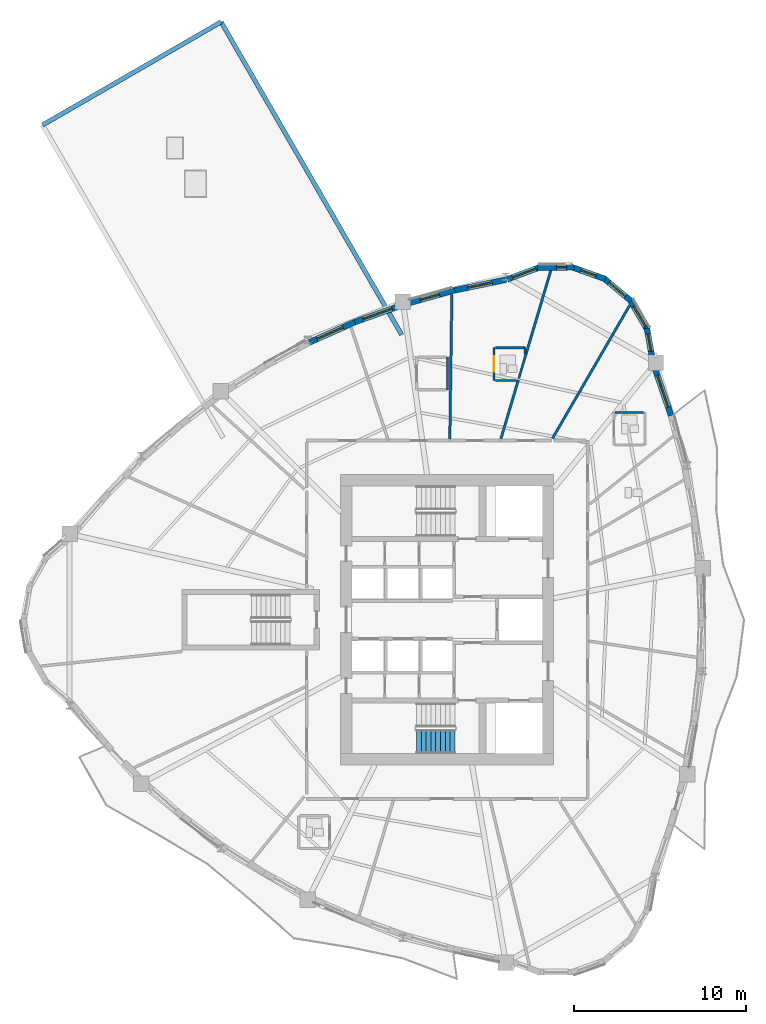
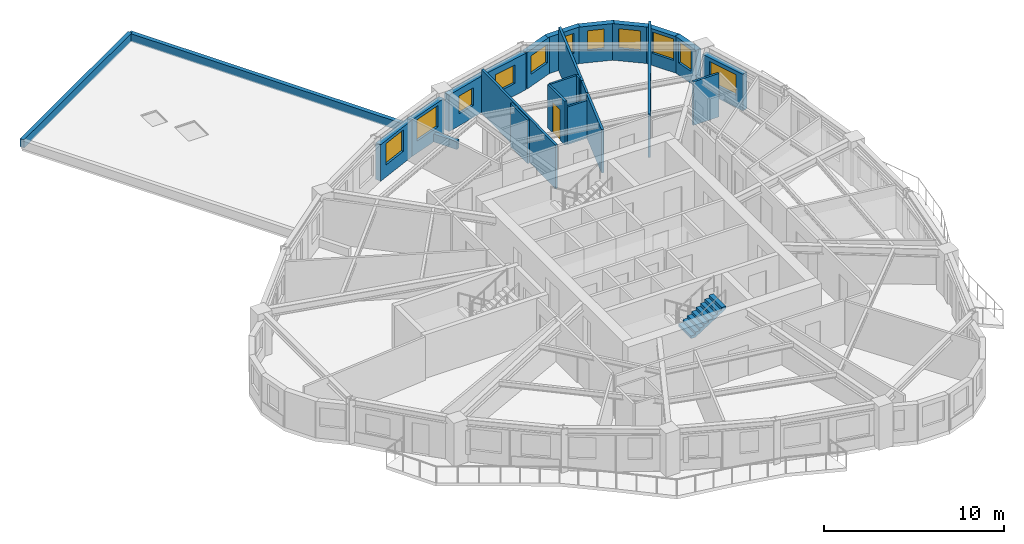
# One storey, part 8 of 13: 24 walls, 11 windows, 1 door, 1 stair flight, 12 openings, 1 element without a shape of its own.
"""IFC4 building model written with IfcOpenShell, lengths in metres."""

from ifc_helpers import new_model, si_unit, direction, frame, frame_2d, origin, place, context, subcontext, project, spatial, polyline, rectangle, outline, extrude, source, transform, mapped, material, layer, layer_set, type_object, element, fill, aggregate, save


model = new_model("IFC4")

# Units and contexts
model_context = context("Model", 3, precision=1e-05, world=origin(), true_north=direction((0.0, 1.0)))
body_context = subcontext(model_context, "Body", "Model", "MODEL_VIEW")
ifc_project = project(units=[si_unit("LENGTHUNIT", "METRE"), si_unit("AREAUNIT", "SQUARE_METRE"), si_unit("VOLUMEUNIT", "CUBIC_METRE"), si_unit("PLANEANGLEUNIT", "RADIAN"), si_unit("MASSUNIT", "GRAM", prefix="KILO")], contexts=[model_context])

# Site, building, storey
site_placement = place(None, origin())
site = spatial("IfcSite", under=ifc_project, at=site_placement, CompositionType="ELEMENT")
building_placement = place(site_placement, origin())
building = spatial("IfcBuilding", under=site, at=building_placement, Name="Qafzar Sky-Pleat Residences", CompositionType="ELEMENT")
storey_placement = place(building_placement, frame((0.0, 0.0, 89.60009765625)))
storey = spatial("IfcBuildingStorey", under=building, at=storey_placement, Name="L26", CompositionType="ELEMENT", Elevation=89.60009765625)

# Walls
ifc_material_1 = material(Name="Acoustic gypsum plasterboard partition", Category="gypsum")
ifc_layer_1 = layer(ifc_material_1, 0.14501953125)
ifc_layer_set_1 = layer_set([ifc_layer_1], Name="Acoustic gypsum plasterboard partition")
wall_type_1 = type_object("IfcWallType", Name="PART-UNIT-145", PredefinedType="PARTITIONING", material=ifc_layer_set_1)
wall_1_placement = place(storey_placement, frame((36.474609375, 36.55322265625, 0.0), z_axis=(0.0, 0.0, 1.0), x_axis=(0.501895508122, 0.864928262301, 0.0)))
element("IfcWall", 1, at=wall_1_placement, inside=storey, type_object=wall_type_1, Name="L26 Partition Wall PART-L26-PW-025", PredefinedType="PARTITIONING", context=body_context, shape_type="SweptSolid", body=[
    extrude(rectangle(XDim=8.957763671875, YDim=0.14501953125, at=frame_2d((4.47900390625, 0.0))), origin(), (0.0, 0.0, 1.0), 2.949951171875),
])
wall_2_placement = place(storey_placement, frame((30.500244140625, 36.51904296875, 0.0), z_axis=(0.0, 0.0, 1.0), x_axis=(0.014275968132, 0.999898093174, 0.0)))
element("IfcWall", 2, at=wall_2_placement, inside=storey, type_object=wall_type_1, Name="L26 Partition Wall PART-L26-PW-027", PredefinedType="PARTITIONING", context=body_context, shape_type="SweptSolid", body=[
    extrude(rectangle(XDim=8.4140625, YDim=0.14501953125, at=frame_2d((4.20703125, 0.0))), origin(), (0.0, 0.0, 1.0), 2.949951171875),
])
wall_3_placement = place(storey_placement, frame((34.85888671875, 41.200927734375, 0.0), z_axis=(0.0, 0.0, 1.0), x_axis=(0.284335435967, 0.958724861393, 0.0)))
element("IfcWall", 3, at=wall_3_placement, inside=storey, type_object=wall_type_1, Name="L26 Partition Wall PART-L26-PW-037", PredefinedType="PARTITIONING", context=body_context, shape_type="SweptSolid", body=[
    extrude(rectangle(XDim=5.348388671875, YDim=0.14501953125, at=frame_2d((2.67431640625, 0.0))), origin(), (0.0, 0.0, 1.0), 2.949951171875),
])
wall_4_placement = place(storey_placement, frame((33.47607421875, 36.538330078125, 0.0), z_axis=(0.0, 0.0, 1.0), x_axis=(0.284300835747, 0.958735122332, 0.0)))
element("IfcWall", 4, at=wall_4_placement, inside=storey, type_object=wall_type_1, Name="L26 Partition Wall PART-L26-PW-039", PredefinedType="PARTITIONING", context=body_context, shape_type="SweptSolid", body=[
    extrude(rectangle(XDim=3.5595703125, YDim=0.14501953125, at=frame_2d((1.77978515625, 0.0))), origin(), (0.0, 0.0, 1.0), 2.949951171875),
])

# Wall, opening, door
ifc_material_2 = material(Name="Moisture-resistant gypsum partition", Category="gypsum")
ifc_layer_2 = layer(ifc_material_2, 0.1298828125)
ifc_layer_set_2 = layer_set([ifc_layer_2], Name="Moisture-resistant gypsum partition")
wall_type_2 = type_object("IfcWallType", Name="PART-WET-130", PredefinedType="PARTITIONING", material=ifc_layer_set_2)
wall_5_placement = place(storey_placement, frame((33.073974609375, 41.8359375, 0.0), z_axis=(0.0, 0.0, 1.0), x_axis=(0.0, -1.0, 0.0)))
wall_5 = element("IfcWall", 5, at=wall_5_placement, inside=storey, type_object=wall_type_2, Name="L26 Partition Wall PART-L26-PW-017", PredefinedType="PARTITIONING", context=body_context, shape_type="SweptSolid", body=[
    extrude(rectangle(XDim=1.89990234375, YDim=0.1298828125, at=frame_2d((0.949951171875, 0.0))), origin(), (0.0, 0.0, 1.0), 2.949951171875),
])
opening_1_placement = place(wall_5_placement, frame((0.510009765625, 0.0, 0.0)))
opening_1 = element("IfcOpeningElement", 6, at=opening_1_placement, cuts=wall_5, Name="Opening ID-07", PredefinedType="OPENING", context=body_context, shape_type="SweptSolid", body=[
    extrude(rectangle(XDim=0.8798828125, YDim=2.050048828125, at=frame_2d((0.43994140625, 1.02490234375))), frame((0.0, 0.074951171875, 0.0), z_axis=(0.0, -1.0, 0.0), x_axis=(1.0, 0.0, 0.0)), (0.0, 0.0, 1.0), 0.14990234375),
])
ifc_material_3 = material(Name="Timber-faced fire door", Category="wood")
door_type = type_object("IfcDoorType", Name="DR-WET-880", OperationType="NOTDEFINED", PredefinedType="DOOR", material=ifc_material_3)
shared_shape_1 = source(origin(), body_context, "Body", "SweptSolid", [
    extrude(rectangle(XDim=0.8798828125, YDim=2.050048828125, at=frame_2d((0.43994140625, 1.02490234375))), frame((0.0, 0.02490234375, 0.0), z_axis=(0.0, -1.0, 0.0), x_axis=(1.0, 0.0, 0.0)), (0.0, 0.0, 1.0), 0.050048828125),
])
door_placement = place(opening_1_placement, origin())
door = element("IfcDoor", 7, at=door_placement, inside=storey, type_object=door_type, Name="L26 En-suite Bathroom 3 Door", OperationType="SINGLE_SWING_LEFT", OverallHeight=2.050048828125, OverallWidth=0.8798828125, PredefinedType="DOOR", context=body_context, shape_type="MappedRepresentation", body=[
    mapped(shared_shape_1, transform((0.0, 0.0, 0.0), x_axis=(1.0, 0.0, 0.0), y_axis=(0.0, 1.0, 0.0), z_axis=(0.0, 0.0, 1.0), scale=1.0)),
])
fill(opening_1, door)

# Walls
wall_6_placement = place(storey_placement, frame((30.3701171875, 39.385986328125, 0.0), z_axis=(0.0, 0.0, 1.0), x_axis=(0.0, 1.0, 0.0)))
element("IfcWall", 8, at=wall_6_placement, inside=storey, type_object=wall_type_2, Name="L26 Partition Wall PART-L26-PW-044", PredefinedType="PARTITIONING", context=body_context, shape_type="SweptSolid", body=[
    extrude(rectangle(XDim=1.89990234375, YDim=0.1298828125, at=frame_2d((0.949951171875, 0.0))), origin(), (0.0, 0.0, 1.0), 2.949951171875),
])
wall_7_placement = place(storey_placement, frame((33.14697265625, 41.8359375, 0.0), z_axis=(0.0, 0.0, 1.0), x_axis=(1.0, 0.0, 0.0)))
element("IfcWall", 9, at=wall_7_placement, inside=storey, type_object=wall_type_2, Name="L26 Partition Wall PART-L26-PW-045", PredefinedType="PARTITIONING", context=body_context, shape_type="SweptSolid", body=[
    extrude(rectangle(XDim=1.72705078125, YDim=0.1298828125, at=frame_2d((0.863525390625, 0.0))), origin(), (0.0, 0.0, 1.0), 2.949951171875),
])
wall_8_placement = place(storey_placement, frame((40.131103515625, 38.06689453125, 0.0), z_axis=(0.0, 0.0, 1.0), x_axis=(1.0, 0.0, 0.0)))
element("IfcWall", 10, at=wall_8_placement, inside=storey, type_object=wall_type_2, Name="L26 Partition Wall PART-L26-PW-050", PredefinedType="PARTITIONING", context=body_context, shape_type="SweptSolid", body=[
    extrude(rectangle(XDim=1.65380859375, YDim=0.1298828125, at=frame_2d((0.826904296875, 0.0))), origin(), (0.0, 0.0, 1.0), 2.949951171875),
])
wall_9_placement = place(storey_placement, frame((33.14697265625, 39.93603515625, 0.0), z_axis=(0.0, 0.0, 1.0), x_axis=(1.0, 0.0, 0.0)))
element("IfcWall", 11, at=wall_9_placement, inside=storey, type_object=wall_type_2, Name="L26 Partition Wall PART-L26-PW-053", PredefinedType="PARTITIONING", context=body_context, shape_type="SweptSolid", body=[
    extrude(rectangle(XDim=1.234130859375, YDim=0.1298828125, at=frame_2d((0.6171875, 0.0))), origin(), (0.0, 0.0, 1.0), 2.557861328125),
])
wall_10_placement = place(storey_placement, frame((34.519287109375, 40.056640625, 0.0), z_axis=(0.0, 0.0, 1.0), x_axis=(0.284363334184, 0.958716586991, 0.0)))
element("IfcWall", 12, at=wall_10_placement, inside=storey, type_object=wall_type_2, Name="L26 Partition Wall PART-L26-PW-054", PredefinedType="PARTITIONING", context=body_context, shape_type="SweptSolid", body=[
    extrude(rectangle(XDim=1.1787109375, YDim=0.1298828125, at=frame_2d((0.58935546875, 0.0))), origin(), (0.0, 0.0, 1.0), 2.949951171875),
])
wall_11_placement = place(storey_placement, frame((34.8740234375, 41.47705078125, 0.0), z_axis=(0.0, 0.0, 1.0), x_axis=(0.0, 1.0, 0.0)))
element("IfcWall", 13, at=wall_11_placement, inside=storey, type_object=wall_type_2, Name="L26 Partition Wall PART-L26-PW-055", PredefinedType="PARTITIONING", context=body_context, shape_type="SweptSolid", body=[
    extrude(rectangle(XDim=0.35888671875, YDim=0.1298828125, at=frame_2d((0.179443359375, 0.0))), origin(), (0.0, 0.0, 1.0), 2.949951171875),
])
ifc_material_4 = material(Name="Precast concrete C40/50 with honed Riyadh limestone", Category="concrete")
ifc_layer_3 = layer(ifc_material_4, 0.260009765625)
ifc_layer_set_3 = layer_set([ifc_layer_3], Name="Precast concrete C40/50 with honed Riyadh limestone")
wall_type_3 = type_object("IfcWallType", Name="WALL-EXT-260", PredefinedType="PARAPET", material=ifc_layer_set_3)
wall_12_placement = place(storey_placement, frame((27.6962890625, 42.5966796875, 0.0), z_axis=(0.0, 0.0, 1.0), x_axis=(-0.500010960134, 0.866019075856, 0.0)))
element("IfcWall", 14, at=wall_12_placement, inside=storey, type_object=wall_type_3, Name="L26 SB-2 Roof Parapet 1", PredefinedType="PARAPET", context=body_context, shape_type="SweptSolid", body=[
    extrude(rectangle(XDim=21.02294921875, YDim=0.260009765625, at=frame_2d((10.511474609375, 0.0))), origin(), (0.0, 0.0, 1.0), 0.5498046875),
])
wall_13_placement = place(storey_placement, frame((17.1845703125, 60.802978515625, 0.0), z_axis=(0.0, 0.0, 1.0), x_axis=(-0.866026010844, -0.49999894854, 0.0)))
element("IfcWall", 15, at=wall_13_placement, inside=storey, type_object=wall_type_3, Name="L26 SB-2 Roof Parapet 2", PredefinedType="PARAPET", context=body_context, shape_type="SweptSolid", body=[
    extrude(rectangle(XDim=12.0, YDim=0.260009765625, at=frame_2d((6.0, 0.0))), origin(), (0.0, 0.0, 1.0), 0.5498046875),
])

# Wall, opening, window
ifc_layer_4 = layer(ifc_material_4, 0.340087890625)
ifc_layer_set_4 = layer_set([ifc_layer_4], Name="Precast concrete C40/50 with honed Riyadh limestone")
wall_type_4 = type_object("IfcWallType", Name="WALL-EXT-340", PredefinedType="SOLIDWALL", material=ifc_layer_set_4)
wall_14_placement = place(storey_placement, frame((43.38037109375, 37.885986328125, 0.0), z_axis=(0.0, 0.0, 1.0), x_axis=(-0.323536742898, 0.946215607562, 0.0)))
wall_14 = element("IfcWall", 16, at=wall_14_placement, inside=storey, type_object=wall_type_4, Name="L26 Limestone Facade Wall 32", PredefinedType="SOLIDWALL", context=body_context, shape_type="SweptSolid", body=[
    extrude(rectangle(XDim=2.972412109375, YDim=0.340087890625, at=frame_2d((1.486328125, 0.0))), origin(), (0.0, 0.0, 1.0), 2.47998046875),
])
opening_2_placement = place(wall_14_placement, frame((0.51611328125, 0.0, 0.820068359375)))
opening_2 = element("IfcOpeningElement", 17, at=opening_2_placement, cuts=wall_14, Name="Opening WN-08", PredefinedType="OPENING", context=body_context, shape_type="SweptSolid", body=[
    extrude(rectangle(XDim=1.949951171875, YDim=1.39990234375, at=frame_2d((0.97509765625, 0.699951171875))), frame((0.0, 0.18017578125, 0.0), z_axis=(0.0, -1.0, 0.0), x_axis=(1.0, 0.0, 0.0)), (0.0, 0.0, 1.0), 0.360107421875),
])
ifc_material_5 = material(Name="Solar-control low-E glass in bronze aluminium frame", Category="glass")
window_type_1 = type_object("IfcWindowType", Name="WIN-08", PartitioningType="DOUBLE_PANEL_VERTICAL", PredefinedType="WINDOW", material=ifc_material_5)
shared_shape_2 = source(origin(), body_context, "Body", "SweptSolid", [
    extrude(rectangle(XDim=1.949951171875, YDim=1.39990234375, at=frame_2d((0.97509765625, 0.699951171875))), frame((0.0, 0.030029296875, 0.0), z_axis=(0.0, -1.0, 0.0), x_axis=(1.0, 0.0, 0.0)), (0.0, 0.0, 1.0), 0.06005859375),
])
window_1_placement = place(opening_2_placement, origin())
window_1 = element("IfcWindow", 18, at=window_1_placement, inside=storey, type_object=window_type_1, Name="L26 Punched Facade Window 32", OverallHeight=1.39990234375, OverallWidth=1.949951171875, PartitioningType="SINGLE_PANEL", PredefinedType="WINDOW", context=body_context, shape_type="MappedRepresentation", body=[
    mapped(shared_shape_2, transform((0.0, 0.0, 0.0), x_axis=(1.0, 0.0, 0.0), y_axis=(0.0, 1.0, 0.0), z_axis=(0.0, 0.0, 1.0), scale=1.0)),
])
fill(opening_2, window_1)

wall_15_placement = place(storey_placement, frame((42.297607421875, 41.16796875, 0.0), z_axis=(0.0, 0.0, 1.0), x_axis=(-0.17440141227, 0.984674640375, 0.0)))
wall_15 = element("IfcWall", 19, at=wall_15_placement, inside=storey, type_object=wall_type_4, Name="L26 Limestone Facade Wall 33", PredefinedType="SOLIDWALL", context=body_context, shape_type="SweptSolid", body=[
    extrude(rectangle(XDim=1.8310546875, YDim=0.340087890625, at=frame_2d((0.91552734375, 0.0))), origin(), (0.0, 0.0, 1.0), 2.47998046875),
])
opening_3_placement = place(wall_15_placement, frame((0.465576171875, 0.0, 0.820068359375)))
opening_3 = element("IfcOpeningElement", 20, at=opening_3_placement, cuts=wall_15, Name="Opening WN-06", PredefinedType="OPENING", context=body_context, shape_type="SweptSolid", body=[
    extrude(rectangle(XDim=1.050048828125, YDim=1.449951171875, at=frame_2d((0.52490234375, 0.72509765625))), frame((0.0, 0.18017578125, 0.0), z_axis=(0.0, -1.0, 0.0), x_axis=(1.0, 0.0, 0.0)), (0.0, 0.0, 1.0), 0.360107421875),
])
window_type_2 = type_object("IfcWindowType", Name="WIN-06", PartitioningType="SINGLE_PANEL", PredefinedType="WINDOW", material=ifc_material_5)
shared_shape_3 = source(origin(), body_context, "Body", "SweptSolid", [
    extrude(rectangle(XDim=1.050048828125, YDim=1.449951171875, at=frame_2d((0.52490234375, 0.72509765625))), frame((0.0, 0.030029296875, 0.0), z_axis=(0.0, -1.0, 0.0), x_axis=(1.0, 0.0, 0.0)), (0.0, 0.0, 1.0), 0.06005859375),
])
window_2_placement = place(opening_3_placement, origin())
window_2 = element("IfcWindow", 21, at=window_2_placement, inside=storey, type_object=window_type_2, Name="L26 Punched Facade Window 33", OverallHeight=1.449951171875, OverallWidth=1.050048828125, PartitioningType="SINGLE_PANEL", PredefinedType="WINDOW", context=body_context, shape_type="MappedRepresentation", body=[
    mapped(shared_shape_3, transform((0.0, 0.0, 0.0), x_axis=(1.0, 0.0, 0.0), y_axis=(0.0, 1.0, 0.0), z_axis=(0.0, 0.0, 1.0), scale=1.0)),
])
fill(opening_3, window_2)

wall_16_placement = place(storey_placement, frame((42.024169921875, 42.844970703125, 0.0), z_axis=(0.0, 0.0, 1.0), x_axis=(-0.501902596059, 0.864924149315, 0.0)))
wall_16 = element("IfcWall", 22, at=wall_16_placement, inside=storey, type_object=wall_type_4, Name="L26 Limestone Facade Wall 34", PredefinedType="SOLIDWALL", context=body_context, shape_type="SweptSolid", body=[
    extrude(rectangle(XDim=2.098876953125, YDim=0.340087890625, at=frame_2d((1.04931640625, 0.0))), origin(), (0.0, 0.0, 1.0), 2.47998046875),
])
opening_4_placement = place(wall_16_placement, frame((0.264892578125, 0.0, 0.820068359375)))
opening_4 = element("IfcOpeningElement", 23, at=opening_4_placement, cuts=wall_16, Name="Opening WN-04", PredefinedType="OPENING", context=body_context, shape_type="SweptSolid", body=[
    extrude(rectangle(XDim=1.35009765625, YDim=1.449951171875, at=frame_2d((0.675048828125, 0.72509765625))), frame((0.0, 0.18017578125, 0.0), z_axis=(0.0, -1.0, 0.0), x_axis=(1.0, 0.0, 0.0)), (0.0, 0.0, 1.0), 0.360107421875),
])
window_type_3 = type_object("IfcWindowType", Name="WIN-04", PartitioningType="SINGLE_PANEL", PredefinedType="WINDOW", material=ifc_material_5)
shared_shape_4 = source(origin(), body_context, "Body", "SweptSolid", [
    extrude(rectangle(XDim=1.35009765625, YDim=1.449951171875, at=frame_2d((0.675048828125, 0.72509765625))), frame((0.0, 0.030029296875, 0.0), z_axis=(0.0, -1.0, 0.0), x_axis=(1.0, 0.0, 0.0)), (0.0, 0.0, 1.0), 0.06005859375),
])
window_3_placement = place(opening_4_placement, origin())
window_3 = element("IfcWindow", 24, at=window_3_placement, inside=storey, type_object=window_type_3, Name="L26 Punched Facade Window 34", OverallHeight=1.449951171875, OverallWidth=1.35009765625, PartitioningType="SINGLE_PANEL", PredefinedType="WINDOW", context=body_context, shape_type="MappedRepresentation", body=[
    mapped(shared_shape_4, transform((0.0, 0.0, 0.0), x_axis=(1.0, 0.0, 0.0), y_axis=(0.0, 1.0, 0.0), z_axis=(0.0, 0.0, 1.0), scale=1.0)),
])
fill(opening_4, window_3)

wall_17_placement = place(storey_placement, frame((41.05712890625, 44.557861328125, 0.0), z_axis=(0.0, 0.0, 1.0), x_axis=(-0.768497696041, 0.639852554249, 0.0)))
wall_17 = element("IfcWall", 25, at=wall_17_placement, inside=storey, type_object=wall_type_4, Name="L26 Limestone Facade Wall 35", PredefinedType="SOLIDWALL", context=body_context, shape_type="SweptSolid", body=[
    extrude(rectangle(XDim=2.098876953125, YDim=0.340087890625, at=frame_2d((1.04931640625, 0.0))), origin(), (0.0, 0.0, 1.0), 2.47998046875),
])
opening_5_placement = place(wall_17_placement, frame((0.424560546875, 0.0, 0.820068359375)))
opening_5 = element("IfcOpeningElement", 26, at=opening_5_placement, cuts=wall_17, Name="Opening WN-11", PredefinedType="OPENING", context=body_context, shape_type="SweptSolid", body=[
    extrude(rectangle(XDim=1.25, YDim=1.35009765625, at=frame_2d((0.625, 0.675048828125))), frame((0.0, 0.18017578125, 0.0), z_axis=(0.0, -1.0, 0.0), x_axis=(1.0, 0.0, 0.0)), (0.0, 0.0, 1.0), 0.360107421875),
])
window_type_4 = type_object("IfcWindowType", Name="WIN-11", PartitioningType="SINGLE_PANEL", PredefinedType="WINDOW", material=ifc_material_5)
shared_shape_5 = source(origin(), body_context, "Body", "SweptSolid", [
    extrude(rectangle(XDim=1.25, YDim=1.35009765625, at=frame_2d((0.625, 0.675048828125))), frame((0.0, 0.030029296875, 0.0), z_axis=(0.0, -1.0, 0.0), x_axis=(1.0, 0.0, 0.0)), (0.0, 0.0, 1.0), 0.06005859375),
])
window_4_placement = place(opening_5_placement, origin())
window_4 = element("IfcWindow", 27, at=window_4_placement, inside=storey, type_object=window_type_4, Name="L26 Punched Facade Window 35", OverallHeight=1.35009765625, OverallWidth=1.25, PartitioningType="SINGLE_PANEL", PredefinedType="WINDOW", context=body_context, shape_type="MappedRepresentation", body=[
    mapped(shared_shape_5, transform((0.0, 0.0, 0.0), x_axis=(1.0, 0.0, 0.0), y_axis=(0.0, 1.0, 0.0), z_axis=(0.0, 0.0, 1.0), scale=1.0)),
])
fill(opening_5, window_4)

wall_18_placement = place(storey_placement, frame((39.560546875, 45.834228515625, 0.0), z_axis=(0.0, 0.0, 1.0), x_axis=(-0.941473186867, 0.33708787936, 0.0)))
wall_18 = element("IfcWall", 28, at=wall_18_placement, inside=storey, type_object=wall_type_4, Name="L26 Limestone Facade Wall 36", PredefinedType="SOLIDWALL", context=body_context, shape_type="SweptSolid", body=[
    extrude(rectangle(XDim=2.098876953125, YDim=0.340087890625, at=frame_2d((1.04931640625, 0.0))), origin(), (0.0, 0.0, 1.0), 2.47998046875),
])
opening_6_placement = place(wall_18_placement, frame((0.574462890625, 0.0, 0.820068359375)))
opening_6 = element("IfcOpeningElement", 29, at=opening_6_placement, cuts=wall_18, Name="Opening WN-12", PredefinedType="OPENING", context=body_context, shape_type="SweptSolid", body=[
    extrude(rectangle(XDim=0.949951171875, YDim=1.35009765625, at=frame_2d((0.47509765625, 0.675048828125))), frame((0.0, 0.18017578125, 0.0), z_axis=(0.0, -1.0, 0.0), x_axis=(1.0, 0.0, 0.0)), (0.0, 0.0, 1.0), 0.360107421875),
])
window_type_5 = type_object("IfcWindowType", Name="WIN-12", PartitioningType="SINGLE_PANEL", PredefinedType="WINDOW", material=ifc_material_5)
shared_shape_6 = source(origin(), body_context, "Body", "SweptSolid", [
    extrude(rectangle(XDim=0.949951171875, YDim=1.35009765625, at=frame_2d((0.47509765625, 0.675048828125))), frame((0.0, 0.030029296875, 0.0), z_axis=(0.0, -1.0, 0.0), x_axis=(1.0, 0.0, 0.0)), (0.0, 0.0, 1.0), 0.06005859375),
])
window_5_placement = place(opening_6_placement, origin())
window_5 = element("IfcWindow", 30, at=window_5_placement, inside=storey, type_object=window_type_5, Name="L26 Punched Facade Window 36", OverallHeight=1.35009765625, OverallWidth=0.949951171875, PartitioningType="SINGLE_PANEL", PredefinedType="WINDOW", context=body_context, shape_type="MappedRepresentation", body=[
    mapped(shared_shape_6, transform((0.0, 0.0, 0.0), x_axis=(1.0, 0.0, 0.0), y_axis=(0.0, 1.0, 0.0), z_axis=(0.0, 0.0, 1.0), scale=1.0)),
])
fill(opening_6, window_5)

wall_19_placement = place(storey_placement, frame((37.716796875, 46.519287109375, 0.0), z_axis=(0.0, 0.0, 1.0), x_axis=(-0.999976451414, -0.006862697526, 0.0)))
wall_19 = element("IfcWall", 31, at=wall_19_placement, inside=storey, type_object=wall_type_4, Name="L26 Limestone Facade Wall 37", PredefinedType="SOLIDWALL", context=body_context, shape_type="SweptSolid", body=[
    extrude(rectangle(XDim=2.098876953125, YDim=0.340087890625, at=frame_2d((1.04931640625, 0.0))), origin(), (0.0, 0.0, 1.0), 2.47998046875),
])
opening_7_placement = place(wall_19_placement, frame((0.415771484375, 0.0, 0.820068359375)))
opening_7 = element("IfcOpeningElement", 32, at=opening_7_placement, cuts=wall_19, Name="Opening WN-17", PredefinedType="OPENING", context=body_context, shape_type="SweptSolid", body=[
    extrude(rectangle(XDim=0.580078125, YDim=1.35009765625, at=frame_2d((0.2900390625, 0.675048828125))), frame((0.0, 0.18017578125, 0.0), z_axis=(0.0, -1.0, 0.0), x_axis=(1.0, 0.0, 0.0)), (0.0, 0.0, 1.0), 0.360107421875),
])
window_type_6 = type_object("IfcWindowType", Name="WIN-17", PartitioningType="SINGLE_PANEL", PredefinedType="WINDOW", material=ifc_material_5)
shared_shape_7 = source(origin(), body_context, "Body", "SweptSolid", [
    extrude(rectangle(XDim=0.580078125, YDim=1.35009765625, at=frame_2d((0.2900390625, 0.675048828125))), frame((0.0, 0.030029296875, 0.0), z_axis=(0.0, -1.0, 0.0), x_axis=(1.0, 0.0, 0.0)), (0.0, 0.0, 1.0), 0.06005859375),
])
window_6_placement = place(opening_7_placement, origin())
window_6 = element("IfcWindow", 33, at=window_6_placement, inside=storey, type_object=window_type_6, Name="L26 Punched Facade Window 37", OverallHeight=1.35009765625, OverallWidth=0.580078125, PartitioningType="SINGLE_PANEL", PredefinedType="WINDOW", context=body_context, shape_type="MappedRepresentation", body=[
    mapped(shared_shape_7, transform((0.0, 0.0, 0.0), x_axis=(1.0, 0.0, 0.0), y_axis=(0.0, 1.0, 0.0), z_axis=(0.0, 0.0, 1.0), scale=1.0)),
])
fill(opening_7, window_6)

wall_20_placement = place(storey_placement, frame((35.749755859375, 46.529296875, 0.0), z_axis=(0.0, 0.0, 1.0), x_axis=(-0.9368002254, -0.349864741994, 0.0)))
wall_20 = element("IfcWall", 34, at=wall_20_placement, inside=storey, type_object=wall_type_4, Name="L26 Limestone Facade Wall 38", PredefinedType="SOLIDWALL", context=body_context, shape_type="SweptSolid", body=[
    extrude(rectangle(XDim=2.041015625, YDim=0.340087890625, at=frame_2d((1.0205078125, 0.0))), origin(), (0.0, 0.0, 1.0), 2.47998046875),
])
opening_8_placement = place(wall_20_placement, frame((0.265380859375, 0.0, 0.820068359375)))
opening_8 = element("IfcOpeningElement", 35, at=opening_8_placement, cuts=wall_20, Name="Opening WN-15", PredefinedType="OPENING", context=body_context, shape_type="SweptSolid", body=[
    extrude(rectangle(XDim=1.449951171875, YDim=1.25, at=frame_2d((0.72509765625, 0.625))), frame((0.0, 0.18017578125, 0.0), z_axis=(0.0, -1.0, 0.0), x_axis=(1.0, 0.0, 0.0)), (0.0, 0.0, 1.0), 0.360107421875),
])
window_type_7 = type_object("IfcWindowType", Name="WIN-15", PartitioningType="SINGLE_PANEL", PredefinedType="WINDOW", material=ifc_material_5)
shared_shape_8 = source(origin(), body_context, "Body", "SweptSolid", [
    extrude(rectangle(XDim=1.449951171875, YDim=1.25, at=frame_2d((0.72509765625, 0.625))), frame((0.0, 0.030029296875, 0.0), z_axis=(0.0, -1.0, 0.0), x_axis=(1.0, 0.0, 0.0)), (0.0, 0.0, 1.0), 0.06005859375),
])
window_7_placement = place(opening_8_placement, origin())
window_7 = element("IfcWindow", 36, at=window_7_placement, inside=storey, type_object=window_type_7, Name="L26 Punched Facade Window 38", OverallHeight=1.25, OverallWidth=1.449951171875, PartitioningType="SINGLE_PANEL", PredefinedType="WINDOW", context=body_context, shape_type="MappedRepresentation", body=[
    mapped(shared_shape_8, transform((0.0, 0.0, 0.0), x_axis=(1.0, 0.0, 0.0), y_axis=(0.0, 1.0, 0.0), z_axis=(0.0, 0.0, 1.0), scale=1.0)),
])
fill(opening_8, window_7)

wall_21_placement = place(storey_placement, frame((33.774169921875, 45.797119140625, 0.0), z_axis=(0.0, 0.0, 1.0), x_axis=(-0.979428519707, -0.201791414051, 0.0)))
wall_21 = element("IfcWall", 37, at=wall_21_placement, inside=storey, type_object=wall_type_4, Name="L26 Limestone Facade Wall 39", PredefinedType="SOLIDWALL", context=body_context, shape_type="SweptSolid", body=[
    extrude(rectangle(XDim=3.133544921875, YDim=0.340087890625, at=frame_2d((1.56689453125, 0.0))), origin(), (0.0, 0.0, 1.0), 2.47998046875),
])
opening_9_placement = place(wall_21_placement, frame((0.831787109375, 0.0, 0.820068359375)))
opening_9 = element("IfcOpeningElement", 38, at=opening_9_placement, cuts=wall_21, Name="Opening WN-15", PredefinedType="OPENING", context=body_context, shape_type="SweptSolid", body=[
    extrude(rectangle(XDim=1.449951171875, YDim=1.25, at=frame_2d((0.72509765625, 0.625))), frame((0.0, 0.18017578125, 0.0), z_axis=(0.0, -1.0, 0.0), x_axis=(1.0, 0.0, 0.0)), (0.0, 0.0, 1.0), 0.360107421875),
])
window_8_placement = place(opening_9_placement, origin())
window_8 = element("IfcWindow", 39, at=window_8_placement, inside=storey, type_object=window_type_7, Name="L26 Punched Facade Window 39", OverallHeight=1.25, OverallWidth=1.449951171875, PartitioningType="SINGLE_PANEL", PredefinedType="WINDOW", context=body_context, shape_type="MappedRepresentation", body=[
    mapped(shared_shape_8, transform((0.0, 0.0, 0.0), x_axis=(1.0, 0.0, 0.0), y_axis=(0.0, 1.0, 0.0), z_axis=(0.0, 0.0, 1.0), scale=1.0)),
])
fill(opening_9, window_8)

wall_22_placement = place(storey_placement, frame((30.790283203125, 45.185302734375, 0.0), z_axis=(0.0, 0.0, 1.0), x_axis=(-0.963052677404, -0.269313090187, 0.0)))
wall_22 = element("IfcWall", 40, at=wall_22_placement, inside=storey, type_object=wall_type_4, Name="L26 Limestone Facade Wall 40", PredefinedType="SOLIDWALL", context=body_context, shape_type="SweptSolid", body=[
    extrude(rectangle(XDim=2.8583984375, YDim=0.340087890625, at=frame_2d((1.42919921875, 0.0))), origin(), (0.0, 0.0, 1.0), 2.47998046875),
])
opening_10_placement = place(wall_22_placement, frame((0.9296875, 0.0, 0.820068359375)))
opening_10 = element("IfcOpeningElement", 41, at=opening_10_placement, cuts=wall_22, Name="Opening WN-16", PredefinedType="OPENING", context=body_context, shape_type="SweptSolid", body=[
    extrude(rectangle(XDim=1.14990234375, YDim=1.199951171875, at=frame_2d((0.574951171875, 0.60009765625))), frame((0.0, 0.18017578125, 0.0), z_axis=(0.0, -1.0, 0.0), x_axis=(1.0, 0.0, 0.0)), (0.0, 0.0, 1.0), 0.360107421875),
])
window_type_8 = type_object("IfcWindowType", Name="WIN-16", PartitioningType="SINGLE_PANEL", PredefinedType="WINDOW", material=ifc_material_5)
shared_shape_9 = source(origin(), body_context, "Body", "SweptSolid", [
    extrude(rectangle(XDim=1.14990234375, YDim=1.199951171875, at=frame_2d((0.574951171875, 0.60009765625))), frame((0.0, 0.030029296875, 0.0), z_axis=(0.0, -1.0, 0.0), x_axis=(1.0, 0.0, 0.0)), (0.0, 0.0, 1.0), 0.06005859375),
])
window_9_placement = place(opening_10_placement, origin())
window_9 = element("IfcWindow", 42, at=window_9_placement, inside=storey, type_object=window_type_8, Name="L26 Punched Facade Window 40", OverallHeight=1.199951171875, OverallWidth=1.14990234375, PartitioningType="SINGLE_PANEL", PredefinedType="WINDOW", context=body_context, shape_type="MappedRepresentation", body=[
    mapped(shared_shape_9, transform((0.0, 0.0, 0.0), x_axis=(1.0, 0.0, 0.0), y_axis=(0.0, 1.0, 0.0), z_axis=(0.0, 0.0, 1.0), scale=1.0)),
])
fill(opening_10, window_9)

wall_23_placement = place(storey_placement, frame((27.611328125, 44.279541015625, 0.0), z_axis=(0.0, 0.0, 1.0), x_axis=(-0.94110108123, -0.338125353836, 0.0)))
wall_23 = element("IfcWall", 43, at=wall_23_placement, inside=storey, type_object=wall_type_4, Name="L26 Limestone Facade Wall 41", PredefinedType="SOLIDWALL", context=body_context, shape_type="SweptSolid", body=[
    extrude(rectangle(XDim=2.808837890625, YDim=0.340087890625, at=frame_2d((1.404296875, 0.0))), origin(), (0.0, 0.0, 1.0), 2.47998046875),
])
opening_11_placement = place(wall_23_placement, frame((0.499267578125, 0.0, 0.820068359375)))
opening_11 = element("IfcOpeningElement", 44, at=opening_11_placement, cuts=wall_23, Name="Opening WN-01", PredefinedType="OPENING", context=body_context, shape_type="SweptSolid", body=[
    extrude(rectangle(XDim=1.800048828125, YDim=1.449951171875, at=frame_2d((0.89990234375, 0.72509765625))), frame((0.0, 0.18017578125, 0.0), z_axis=(0.0, -1.0, 0.0), x_axis=(1.0, 0.0, 0.0)), (0.0, 0.0, 1.0), 0.360107421875),
])
window_type_9 = type_object("IfcWindowType", Name="WIN-01", PartitioningType="DOUBLE_PANEL_VERTICAL", PredefinedType="WINDOW", material=ifc_material_5)
shared_shape_10 = source(origin(), body_context, "Body", "SweptSolid", [
    extrude(rectangle(XDim=1.800048828125, YDim=1.449951171875, at=frame_2d((0.89990234375, 0.72509765625))), frame((0.0, 0.030029296875, 0.0), z_axis=(0.0, -1.0, 0.0), x_axis=(1.0, 0.0, 0.0)), (0.0, 0.0, 1.0), 0.06005859375),
])
window_10_placement = place(opening_11_placement, origin())
window_10 = element("IfcWindow", 45, at=window_10_placement, inside=storey, type_object=window_type_9, Name="L26 Punched Facade Window 41", OverallHeight=1.449951171875, OverallWidth=1.800048828125, PartitioningType="SINGLE_PANEL", PredefinedType="WINDOW", context=body_context, shape_type="MappedRepresentation", body=[
    mapped(shared_shape_10, transform((0.0, 0.0, 0.0), x_axis=(1.0, 0.0, 0.0), y_axis=(0.0, 1.0, 0.0), z_axis=(0.0, 0.0, 1.0), scale=1.0)),
])
fill(opening_11, window_10)

wall_24_placement = place(storey_placement, frame((25.05029296875, 43.36279296875, 0.0), z_axis=(0.0, 0.0, 1.0), x_axis=(-0.913433400489, -0.406988234315, 0.0)))
wall_24 = element("IfcWall", 46, at=wall_24_placement, inside=storey, type_object=wall_type_4, Name="L26 Limestone Facade Wall 42", PredefinedType="SOLIDWALL", context=body_context, shape_type="SweptSolid", body=[
    extrude(rectangle(XDim=2.98486328125, YDim=0.340087890625, at=frame_2d((1.492431640625, 0.0))), origin(), (0.0, 0.0, 1.0), 2.47998046875),
])
opening_12_placement = place(wall_24_placement, frame((0.8408203125, 0.0, 0.820068359375)))
opening_12 = element("IfcOpeningElement", 47, at=opening_12_placement, cuts=wall_24, Name="Opening WN-02", PredefinedType="OPENING", context=body_context, shape_type="SweptSolid", body=[
    extrude(rectangle(XDim=1.64990234375, YDim=1.449951171875, at=frame_2d((0.824951171875, 0.72509765625))), frame((0.0, 0.18017578125, 0.0), z_axis=(0.0, -1.0, 0.0), x_axis=(1.0, 0.0, 0.0)), (0.0, 0.0, 1.0), 0.360107421875),
])
window_type_10 = type_object("IfcWindowType", Name="WIN-02", PartitioningType="DOUBLE_PANEL_VERTICAL", PredefinedType="WINDOW", material=ifc_material_5)
shared_shape_11 = source(origin(), body_context, "Body", "SweptSolid", [
    extrude(rectangle(XDim=1.64990234375, YDim=1.449951171875, at=frame_2d((0.824951171875, 0.72509765625))), frame((0.0, 0.030029296875, 0.0), z_axis=(0.0, -1.0, 0.0), x_axis=(1.0, 0.0, 0.0)), (0.0, 0.0, 1.0), 0.06005859375),
])
window_11_placement = place(opening_12_placement, origin())
window_11 = element("IfcWindow", 48, at=window_11_placement, inside=storey, type_object=window_type_10, Name="L26 Punched Facade Window 42", OverallHeight=1.449951171875, OverallWidth=1.64990234375, PartitioningType="SINGLE_PANEL", PredefinedType="WINDOW", context=body_context, shape_type="MappedRepresentation", body=[
    mapped(shared_shape_11, transform((0.0, 0.0, 0.0), x_axis=(1.0, 0.0, 0.0), y_axis=(0.0, 1.0, 0.0), z_axis=(0.0, 0.0, 1.0), scale=1.0)),
])
fill(opening_12, window_11)

# Stair, stair flight
ifc_material_6 = material(Name="Concrete C40/50", Category="concrete")
stair_type = type_object("IfcStairType", Name="STAIR-H320", PredefinedType="HALF_TURN_STAIR", material=ifc_material_6)
stair_placement = place(storey_placement, origin())
stair = element("IfcStair", 49, at=stair_placement, inside=storey, type_object=stair_type, Name="L26 Protected Exit Stair ST1", PredefinedType="HALF_TURN_STAIR")
stair_flight_type = type_object("IfcStairFlightType", Name="FLIGHT-H320", PredefinedType="STRAIGHT", material=ifc_material_6)
shared_shape_12 = source(origin(), body_context, "Body", "SweptSolid", [
    extrude(outline(polyline([(0.0, 0.0), (0.0, 0.177734375), (0.280029296875, 0.177734375), (0.280029296875, 0.35546875), (0.56005859375, 0.35546875), (0.56005859375, 0.533447265625), (0.840087890625, 0.533447265625), (0.840087890625, 0.711181640625), (1.1201171875, 0.711181640625), (1.1201171875, 0.888916015625), (1.39990234375, 0.888916015625), (1.39990234375, 1.066650390625), (1.679931640625, 1.066650390625), (1.679931640625, 1.244384765625), (1.9599609375, 1.244384765625), (1.9599609375, 1.422119140625), (2.239990234375, 1.422119140625), (2.239990234375, 1.60009765625), (2.239990234375, 1.24462890625), (0.27978515625, 0.0), (0.0, 0.0)])), frame((0.0, 0.699951171875, 0.0), z_axis=(0.0, -1.0, 0.0), x_axis=(1.0, 0.0, 0.0)), (0.0, 0.0, 1.0), 1.39990234375),
])
stair_flight_placement = place(storey_placement, frame((28.56005859375, 18.89990234375, 1.599853515625), z_axis=(0.0, 0.0, 1.0), x_axis=(1.0, 0.0, 0.0)))
stair_flight = element("IfcStairFlight", 50, at=stair_flight_placement, type_object=stair_flight_type, Name="ST1 flight 2", NumberOfRisers=9, NumberOfTreads=8, PredefinedType="STRAIGHT", RiserHeight=0.177777778, TreadLength=0.28, context=body_context, shape_type="MappedRepresentation", body=[
    mapped(shared_shape_12, transform((0.0, 0.0, 0.0), x_axis=(1.0, 0.0, 0.0), y_axis=(0.0, 1.0, 0.0), z_axis=(0.0, 0.0, 1.0), scale=1.0)),
])
aggregate(stair, [stair_flight])

save(model, "model.ifc")
